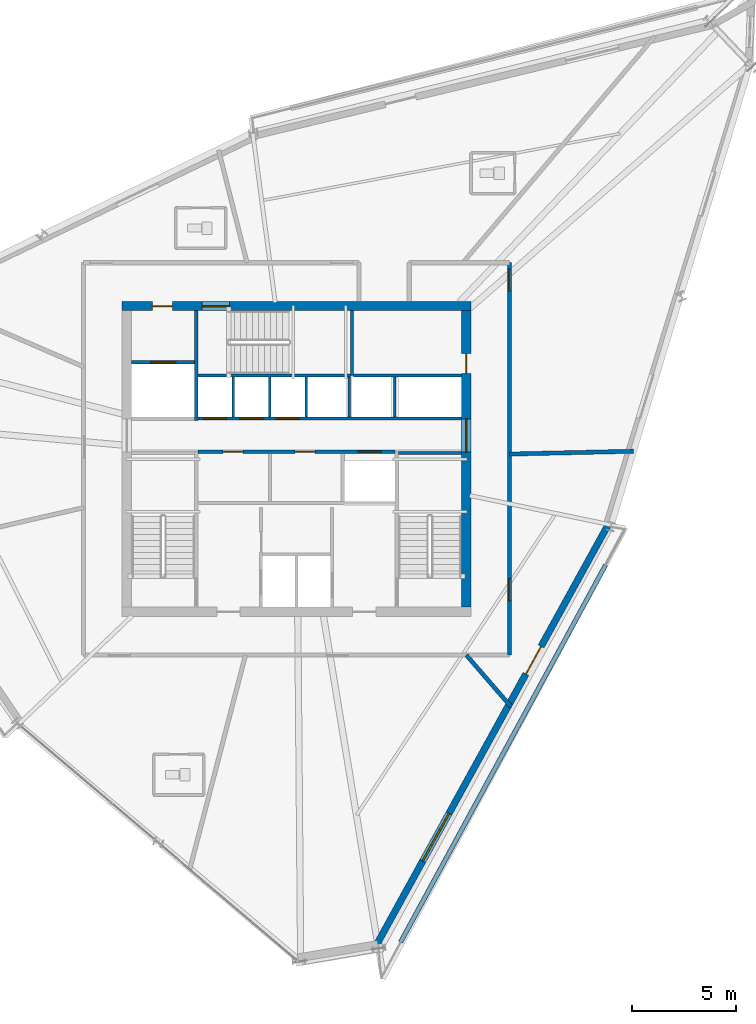
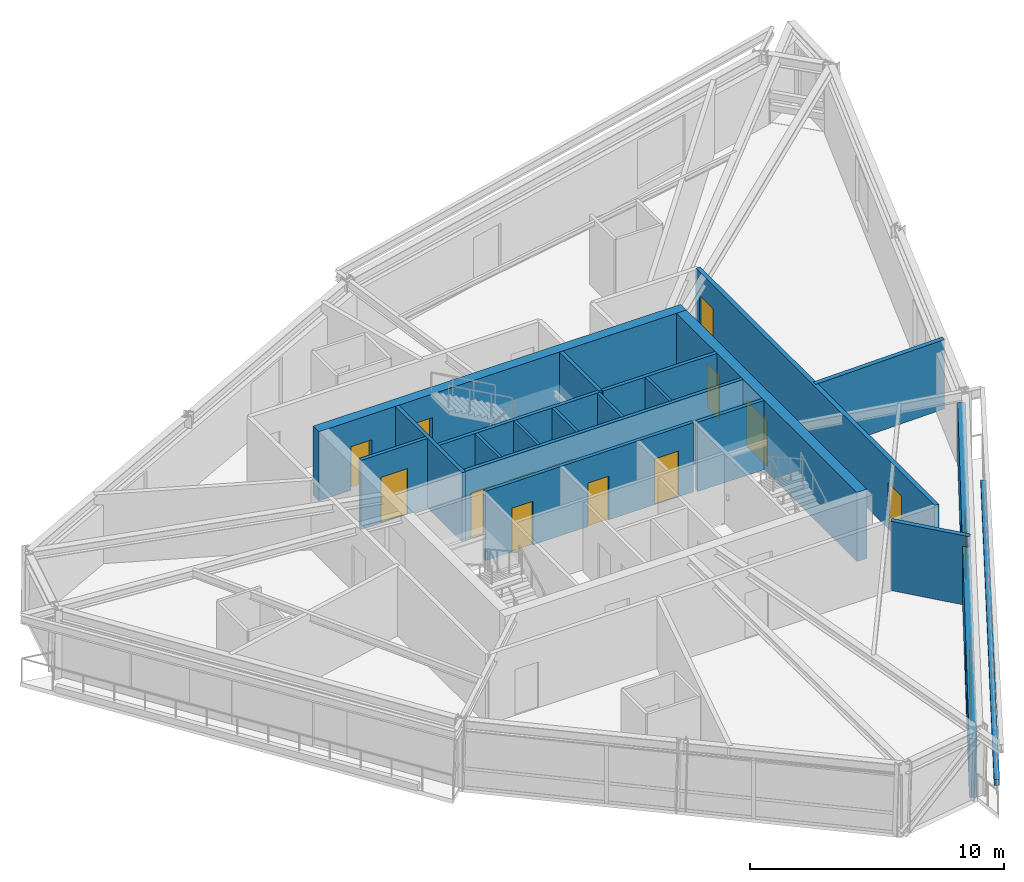
# One storey, part 9 of 15: 20 walls, 14 doors, 1 window, 15 openings.
"""IFC4 building model written with IfcOpenShell, lengths in metres."""

from ifc_helpers import new_model, si_unit, direction, frame, frame_2d, origin, place, context, subcontext, project, spatial, rectangle, extrude, source, transform, mapped, material, layer, layer_set, type_object, type_shapes, element, fill, save


model = new_model("IFC4")

# Units and contexts
model_context = context("Model", 3, precision=1e-05, world=origin(), true_north=direction((0.0, 1.0)))
body_context = subcontext(model_context, "Body", "Model", "MODEL_VIEW")
ifc_project = project(units=[si_unit("LENGTHUNIT", "METRE"), si_unit("AREAUNIT", "SQUARE_METRE"), si_unit("VOLUMEUNIT", "CUBIC_METRE"), si_unit("PLANEANGLEUNIT", "RADIAN"), si_unit("MASSUNIT", "GRAM", prefix="KILO")], contexts=[model_context])

# Site, building, storey
site_placement = place(None, origin())
site = spatial("IfcSite", under=ifc_project, at=site_placement, CompositionType="ELEMENT")
building_placement = place(site_placement, origin())
building = spatial("IfcBuilding", under=site, at=building_placement, Name="Olszyna Solenne Hotel", CompositionType="ELEMENT")
storey_placement = place(building_placement, frame((0.0, 0.0, 213.14990234375)))
storey = spatial("IfcBuildingStorey", under=building, at=storey_placement, Name="L56", CompositionType="ELEMENT", Elevation=213.14990234375)

# Wall, openings, doors
ifc_material_1 = material(Name="Concrete C50/60", Category="concrete")
ifc_layer_1 = layer(ifc_material_1, 0.449951171875, Name="Concrete C50/60")
ifc_layer_set_1 = layer_set([ifc_layer_1], Name="Concrete C50/60")
wall_type_1 = type_object("IfcWallType", Name="WL-CR450", PredefinedType="SHEAR", material=ifc_layer_set_1)
wall_1_placement = place(storey_placement, frame((29.64990234375, 33.925048828125, 0.0), z_axis=(0.0, 0.0, 1.0), x_axis=(1.0, 0.0, 0.0)))
wall_1 = element("IfcWall", 1, at=wall_1_placement, inside=storey, type_object=wall_type_1, Name="Core shear wall WL-CR450 CRW-L56-N", PredefinedType="SHEAR", context=body_context, shape_type="SweptSolid", body=[
    extrude(rectangle(XDim=16.7001953125, YDim=0.449951171875, at=frame_2d((8.35009765625, 0.0))), origin(), (0.0, 0.0, 1.0), 3.330078125),
])
opening_1_placement = place(wall_1_placement, frame((1.449951171875, 0.0, 0.0)))
opening_1 = element("IfcOpeningElement", 2, at=opening_1_placement, cuts=wall_1, Name="Opening SVD-L56-01", PredefinedType="OPENING", context=body_context, shape_type="SweptSolid", body=[
    extrude(rectangle(XDim=0.949951171875, YDim=2.10009765625, at=frame_2d((0.47509765625, 1.050048828125))), frame((0.0, 0.23486328125, 0.0), z_axis=(0.0, -1.0, 0.0), x_axis=(1.0, 0.0, 0.0)), (0.0, 0.0, 1.0), 0.469970703125),
])
opening_2_placement = place(wall_1_placement, frame((3.830078125, 0.0, 0.0)))
opening_2 = element("IfcOpeningElement", 3, at=opening_2_placement, cuts=wall_1, Name="Opening STD-L56-03", PredefinedType="OPENING", context=body_context, shape_type="SweptSolid", body=[
    extrude(rectangle(XDim=1.320068359375, YDim=2.199951171875, at=frame_2d((0.66015625, 1.10009765625))), frame((0.0, 0.23486328125, 0.0), z_axis=(0.0, -1.0, 0.0), x_axis=(1.0, 0.0, 0.0)), (0.0, 0.0, 1.0), 0.469970703125),
])
ifc_material_2 = material(Name="Steel S355J2", Category="steel")
door_type_1 = type_object("IfcDoorType", Name="DR-ST1", OperationType="NOTDEFINED", PredefinedType="DOOR", material=ifc_material_2)
shared_shape_1 = source(origin(), body_context, "Body", "SweptSolid", [
    extrude(rectangle(XDim=1.320068359375, YDim=2.199951171875, at=frame_2d((0.66015625, 1.10009765625))), frame((0.0, 0.02490234375, 0.0), z_axis=(0.0, -1.0, 0.0), x_axis=(1.0, 0.0, 0.0)), (0.0, 0.0, 1.0), 0.050048828125),
])
type_shapes(door_type_1, [shared_shape_1])
door_1_placement = place(opening_2_placement, origin())
door_1 = element("IfcDoor", 4, at=door_1_placement, inside=storey, type_object=door_type_1, Name="Pressurised exit stair ST3 fire door STD-L56-03", OperationType="SINGLE_SWING_RIGHT", OverallHeight=2.199951171875, OverallWidth=1.320068359375, PredefinedType="DOOR", context=body_context, shape_type="MappedRepresentation", body=[
    mapped(shared_shape_1, transform((0.0, 0.0, 0.0), x_axis=(1.0, 0.0, 0.0), y_axis=(0.0, 1.0, 0.0), z_axis=(0.0, 0.0, 1.0), scale=1.0)),
])
fill(opening_2, door_1)
door_type_2 = type_object("IfcDoorType", Name="DR-SV1", OperationType="NOTDEFINED", PredefinedType="DOOR", material=ifc_material_2)
shared_shape_2 = source(origin(), body_context, "Body", "SweptSolid", [
    extrude(rectangle(XDim=0.949951171875, YDim=2.10009765625, at=frame_2d((0.47509765625, 1.050048828125))), frame((0.0, 0.02490234375, 0.0), z_axis=(0.0, -1.0, 0.0), x_axis=(1.0, 0.0, 0.0)), (0.0, 0.0, 1.0), 0.050048828125),
])
type_shapes(door_type_2, [shared_shape_2])
door_2_placement = place(opening_1_placement, origin())
door_2 = element("IfcDoor", 5, at=door_2_placement, inside=storey, type_object=door_type_2, Name="Service lift lobby fire door SVD-L56-01", OperationType="SINGLE_SWING_LEFT", OverallHeight=2.10009765625, OverallWidth=0.949951171875, PredefinedType="DOOR", context=body_context, shape_type="MappedRepresentation", body=[
    mapped(shared_shape_2, transform((0.0, 0.0, 0.0), x_axis=(1.0, 0.0, 0.0), y_axis=(0.0, 1.0, 0.0), z_axis=(0.0, 0.0, 1.0), scale=1.0)),
])
fill(opening_1, door_2)

wall_2_placement = place(storey_placement, frame((46.125, 33.699951171875, 0.0), z_axis=(0.0, 0.0, 1.0), x_axis=(0.0, -1.0, 0.0)))
wall_2 = element("IfcWall", 6, at=wall_2_placement, inside=storey, type_object=wall_type_1, Name="Core shear wall WL-CR450 CRW-L56-E", PredefinedType="SHEAR", context=body_context, shape_type="SweptSolid", body=[
    extrude(rectangle(XDim=14.199951171875, YDim=0.449951171875, at=frame_2d((7.10009765625, 0.0))), origin(), (0.0, 0.0, 1.0), 3.330078125),
])
opening_3_placement = place(wall_2_placement, frame((5.179931640625, 0.0, 0.0)))
opening_3 = element("IfcOpeningElement", 7, at=opening_3_placement, cuts=wall_2, Name="Opening LHD-L56-E", PredefinedType="OPENING", context=body_context, shape_type="SweptSolid", body=[
    extrude(rectangle(XDim=1.60009765625, YDim=2.199951171875, at=frame_2d((0.800048828125, 1.10009765625))), frame((0.0, 0.23486328125, 0.0), z_axis=(0.0, -1.0, 0.0), x_axis=(1.0, 0.0, 0.0)), (0.0, 0.0, 1.0), 0.469970703125),
])
opening_4_placement = place(wall_2_placement, frame((2.050048828125, 0.0, 0.0)))
opening_4 = element("IfcOpeningElement", 8, at=opening_4_placement, cuts=wall_2, Name="Opening SVD-L56-BE", PredefinedType="OPENING", context=body_context, shape_type="SweptSolid", body=[
    extrude(rectangle(XDim=0.949951171875, YDim=2.10009765625, at=frame_2d((0.47509765625, 1.050048828125))), frame((0.0, 0.23486328125, 0.0), z_axis=(0.0, -1.0, 0.0), x_axis=(1.0, 0.0, 0.0)), (0.0, 0.0, 1.0), 0.469970703125),
])
door_3_placement = place(opening_4_placement, origin())
door_3 = element("IfcDoor", 9, at=door_3_placement, inside=storey, type_object=door_type_2, Name="Housekeeping core fire door SVD-L56-BE", OperationType="SINGLE_SWING_RIGHT", OverallHeight=2.10009765625, OverallWidth=0.949951171875, PredefinedType="DOOR", context=body_context, shape_type="MappedRepresentation", body=[
    mapped(shared_shape_2, transform((0.0, 0.0, 0.0), x_axis=(1.0, 0.0, 0.0), y_axis=(0.0, 1.0, 0.0), z_axis=(0.0, 0.0, 1.0), scale=1.0)),
])
fill(opening_4, door_3)
ifc_material_3 = material(Name="Timber hardwood", Category="wood")
door_type_3 = type_object("IfcDoorType", Name="DR-CR1", OperationType="DOUBLE_DOOR_SINGLE_SWING", PredefinedType="DOOR", material=ifc_material_3)
shared_shape_3 = source(origin(), body_context, "Body", "SweptSolid", [
    extrude(rectangle(XDim=1.60009765625, YDim=2.199951171875, at=frame_2d((0.800048828125, 1.10009765625))), frame((0.0, 0.02490234375, 0.0), z_axis=(0.0, -1.0, 0.0), x_axis=(1.0, 0.0, 0.0)), (0.0, 0.0, 1.0), 0.050048828125),
])
type_shapes(door_type_3, [shared_shape_3])
door_4_placement = place(opening_3_placement, origin())
door_4 = element("IfcDoor", 10, at=door_4_placement, inside=storey, type_object=door_type_3, Name="Passenger lift lobby East fire door LHD-L56-E", OperationType="DOUBLE_DOOR_SINGLE_SWING", OverallHeight=2.199951171875, OverallWidth=1.60009765625, PredefinedType="DOOR", context=body_context, shape_type="MappedRepresentation", body=[
    mapped(shared_shape_3, transform((0.0, 0.0, 0.0), x_axis=(1.0, 0.0, 0.0), y_axis=(0.0, 1.0, 0.0), z_axis=(0.0, 0.0, 1.0), scale=1.0)),
])
fill(opening_3, door_4)

# Wall, openings, door, window
ifc_material_4 = material(Name="Precast concrete C45/55", Category="concrete")
ifc_layer_2 = layer(ifc_material_4, 0.320068359375, Name="Precast concrete C45/55")
ifc_layer_set_2 = layer_set([ifc_layer_2], Name="Precast concrete C45/55")
wall_type_2 = type_object("IfcWallType", Name="WL-EX320", PredefinedType="SOLIDWALL", material=ifc_layer_set_2)
wall_3_placement = place(storey_placement, frame((52.923095703125, 23.42529296875, 0.0), z_axis=(0.0, 0.0, 1.0), x_axis=(-0.482829200204, -0.875714544489, 0.0)))
wall_3 = element("IfcWall", 11, at=wall_3_placement, inside=storey, type_object=wall_type_2, Name="Exterior terracotta-precast frame wall WL-EX320 EW-L56-01", PredefinedType="SOLIDWALL", context=body_context, shape_type="SweptSolid", body=[
    extrude(rectangle(XDim=23.072021484375, YDim=0.320068359375, at=frame_2d((11.5361328125, 0.0))), origin(), (0.0, 0.0, 1.0), 2.822021484375),
])
opening_5_placement = place(wall_3_placement, frame((6.633056640625, 0.0, 0.0)))
opening_5 = element("IfcOpeningElement", 12, at=opening_5_placement, cuts=wall_3, Name="Opening LDG-L56-3", PredefinedType="OPENING", context=body_context, shape_type="SweptSolid", body=[
    extrude(rectangle(XDim=1.5, YDim=2.300048828125, at=frame_2d((0.75, 1.14990234375))), frame((0.0, 0.169921875, 0.0), z_axis=(0.0, -1.0, 0.0), x_axis=(1.0, 0.0, 0.0)), (0.0, 0.0, 1.0), 0.340087890625),
])
opening_6_placement = place(wall_3_placement, frame((15.77294921875, 0.0, 0.35205078125)))
opening_6 = element("IfcOpeningElement", 13, at=opening_6_placement, cuts=wall_3, Name="Opening WN-L56-357", PredefinedType="OPENING", context=body_context, shape_type="SweptSolid", body=[
    extrude(rectangle(XDim=2.60009765625, YDim=2.35009765625, at=frame_2d((1.300048828125, 1.175048828125))), frame((0.0, 0.169921875, 0.0), z_axis=(0.0, -1.0, 0.0), x_axis=(1.0, 0.0, 0.0)), (0.0, 0.0, 1.0), 0.340087890625),
])
ifc_material_5 = material(Name="Anodised bronze aluminium", Category="aluminium")
door_type_4 = type_object("IfcDoorType", Name="DR-LG2", OperationType="DOUBLE_DOOR_SINGLE_SWING", PredefinedType="DOOR", material=ifc_material_5)
shared_shape_4 = source(origin(), body_context, "Body", "SweptSolid", [
    extrude(rectangle(XDim=1.5, YDim=2.300048828125, at=frame_2d((0.75, 1.14990234375))), frame((0.0, 0.02490234375, 0.0), z_axis=(0.0, -1.0, 0.0), x_axis=(1.0, 0.0, 0.0)), (0.0, 0.0, 1.0), 0.050048828125),
])
type_shapes(door_type_4, [shared_shape_4])
door_5_placement = place(opening_5_placement, origin())
door_5 = element("IfcDoor", 14, at=door_5_placement, inside=storey, type_object=door_type_4, Name="Exterior loggia balcony door DR-LG2 LDG-L56-3", OperationType="DOUBLE_DOOR_SINGLE_SWING", OverallHeight=2.300048828125, OverallWidth=1.5, PredefinedType="DOOR", context=body_context, shape_type="MappedRepresentation", body=[
    mapped(shared_shape_4, transform((0.0, 0.0, 0.0), x_axis=(1.0, 0.0, 0.0), y_axis=(0.0, 1.0, 0.0), z_axis=(0.0, 0.0, 1.0), scale=1.0)),
])
fill(opening_5, door_5)
ifc_material_6 = material(Name="Low-E triple glazing", Category="glass")
window_type = type_object("IfcWindowType", Name="WN-ST1", PartitioningType="SINGLE_PANEL", PredefinedType="WINDOW", material=ifc_material_6)
shared_shape_5 = source(origin(), body_context, "Body", "SweptSolid", [
    extrude(rectangle(XDim=2.60009765625, YDim=2.35009765625, at=frame_2d((1.300048828125, 1.175048828125))), frame((0.0, 0.030029296875, 0.0), z_axis=(0.0, -1.0, 0.0), x_axis=(1.0, 0.0, 0.0)), (0.0, 0.0, 1.0), 0.06005859375),
])
type_shapes(window_type, [shared_shape_5])
window_placement = place(opening_6_placement, origin())
window = element("IfcWindow", 15, at=window_placement, inside=storey, type_object=window_type, Name="Loggia room window WN-ST1 WN-L56-357", OverallHeight=2.35009765625, OverallWidth=2.60009765625, PartitioningType="SINGLE_PANEL", PredefinedType="WINDOW", context=body_context, shape_type="MappedRepresentation", body=[
    mapped(shared_shape_5, transform((0.0, 0.0, 0.0), x_axis=(1.0, 0.0, 0.0), y_axis=(0.0, 1.0, 0.0), z_axis=(0.0, 0.0, 1.0), scale=1.0)),
])
fill(opening_6, window)

# Walls
ifc_layer_3 = layer(ifc_material_4, 0.219970703125, Name="Precast concrete C45/55")
ifc_layer_set_3 = layer_set([ifc_layer_3], Name="Precast concrete C45/55")
wall_type_3 = type_object("IfcWallType", Name="WL-PR220", PredefinedType="PARAPET", material=ifc_layer_set_3)
wall_4_placement = place(storey_placement, frame((42.99072265625, 3.45068359375, 0.0), z_axis=(0.0, 0.0, 1.0), x_axis=(0.477647289854, 0.878551686866, 0.0)))
element("IfcWall", 16, at=wall_4_placement, inside=storey, type_object=wall_type_3, Name="Loggia balcony precast kerb PR-L56-LG3", PredefinedType="PARAPET", context=body_context, shape_type="SweptSolid", body=[
    extrude(rectangle(XDim=20.551025390625, YDim=0.219970703125, at=frame_2d((10.275390625, 0.0))), origin(), (0.0, 0.0, 1.0), 0.300048828125),
])
ifc_material_7 = material(Name="Acoustic gypsum partition", Category="gypsum")
ifc_layer_4 = layer(ifc_material_7, 0.125, Name="Acoustic gypsum partition")
ifc_layer_set_4 = layer_set([ifc_layer_4], Name="Acoustic gypsum partition")
wall_type_4 = type_object("IfcWallType", Name="WL-PT125", PredefinedType="PARTITIONING", material=ifc_layer_set_4)
for number, where, z_axis, x_axis, name in (
    (17, (34.965087890625, 28.60009765625, 0.0), (0.0, 0.0, 1.0), (0.0, 1.0, 0.0), "Core shaft compartment wall CW-L56-DIVN349"),
    (18, (36.715087890625, 28.60009765625, 0.0), (0.0, 0.0, 1.0), (0.0, 1.0, 0.0), "Core shaft compartment wall CW-L56-DIVN367"),
    (19, (38.465087890625, 28.60009765625, 0.0), (0.0, 0.0, 1.0), (0.0, 1.0, 0.0), "Core shaft compartment wall CW-L56-DIVN384"),
    (20, (40.52490234375, 28.60009765625, 0.0), (0.0, 0.0, 1.0), (0.0, 1.0, 0.0), "Core shaft compartment wall CW-L56-DIVEX405"),
    (21, (42.699951171875, 28.60009765625, 0.0), (0.0, 0.0, 1.0), (0.0, 1.0, 0.0), "Core shaft compartment wall CW-L56-DIVEX427"),
):
    element("IfcWall", number, at=place(storey_placement, frame(where, z_axis=z_axis, x_axis=x_axis)), inside=storey, type_object=wall_type_4, Name=name, PredefinedType="PARTITIONING", context=body_context, shape_type="SweptSolid", body=[
        extrude(rectangle(XDim=1.919921875, YDim=0.125, at=frame_2d((0.9599609375, 0.0))), origin(), (0.0, 0.0, 1.0), 3.330078125),
    ])
ifc_layer_5 = layer(ifc_material_7, 0.159912109375, Name="Acoustic gypsum partition")
ifc_layer_set_5 = layer_set([ifc_layer_5], Name="Acoustic gypsum partition")
wall_type_5 = type_object("IfcWallType", Name="WL-PT160", PredefinedType="PARTITIONING", material=ifc_layer_set_5)
wall_5_placement = place(storey_placement, frame((42.8798828125, 26.8798828125, 0.0), z_axis=(0.0, 0.0, 1.0), x_axis=(1.0, 0.0, 0.0)))
element("IfcWall", 22, at=wall_5_placement, inside=storey, type_object=wall_type_5, Name="Core shaft compartment wall CW-L56-ST2N", PredefinedType="PARTITIONING", context=body_context, shape_type="SweptSolid", body=[
    extrude(rectangle(XDim=3.02001953125, YDim=0.159912109375, at=frame_2d((1.510009765625, 0.0))), origin(), (0.0, 0.0, 1.0), 3.330078125),
])
wall_6_placement = place(storey_placement, frame((33.280029296875, 30.60009765625, 0.0), z_axis=(0.0, 0.0, 1.0), x_axis=(1.0, 0.0, 0.0)))
element("IfcWall", 23, at=wall_6_placement, inside=storey, type_object=wall_type_5, Name="Core shaft compartment wall CW-L56-ST3S", PredefinedType="PARTITIONING", context=body_context, shape_type="SweptSolid", body=[
    extrude(rectangle(XDim=7.300048828125, YDim=0.159912109375, at=frame_2d((3.64990234375, 0.0))), origin(), (0.0, 0.0, 1.0), 3.330078125),
])
wall_7_placement = place(storey_placement, frame((40.659912109375, 30.60009765625, 0.0), z_axis=(0.0, 0.0, 1.0), x_axis=(0.0, 1.0, 0.0)))
element("IfcWall", 24, at=wall_7_placement, inside=storey, type_object=wall_type_5, Name="Core shaft compartment wall CW-L56-ST3E", PredefinedType="PARTITIONING", context=body_context, shape_type="SweptSolid", body=[
    extrude(rectangle(XDim=3.099853515625, YDim=0.159912109375, at=frame_2d((1.5498046875, 0.0))), origin(), (0.0, 0.0, 1.0), 3.330078125),
])
wall_8_placement = place(storey_placement, frame((33.199951171875, 28.43994140625, 0.0), z_axis=(0.0, 0.0, 1.0), x_axis=(0.0, 1.0, 0.0)))
element("IfcWall", 25, at=wall_8_placement, inside=storey, type_object=wall_type_5, Name="Core shaft compartment wall CW-L56-SV1E", PredefinedType="PARTITIONING", context=body_context, shape_type="SweptSolid", body=[
    extrude(rectangle(XDim=5.260009765625, YDim=0.159912109375, at=frame_2d((2.6298828125, 0.0))), origin(), (0.0, 0.0, 1.0), 3.330078125),
])

# Wall, opening, door
wall_9_placement = place(storey_placement, frame((30.10009765625, 31.239990234375, 0.0), z_axis=(0.0, 0.0, 1.0), x_axis=(1.0, 0.0, 0.0)))
wall_9 = element("IfcWall", 26, at=wall_9_placement, inside=storey, type_object=wall_type_5, Name="Core shaft compartment wall CW-L56-SV1N", PredefinedType="PARTITIONING", context=body_context, shape_type="SweptSolid", body=[
    extrude(rectangle(XDim=3.02001953125, YDim=0.159912109375, at=frame_2d((1.510009765625, 0.0))), origin(), (0.0, 0.0, 1.0), 3.330078125),
])
opening_7_placement = place(wall_9_placement, frame((0.909912109375, 0.0, 0.0)))
opening_7 = element("IfcOpeningElement", 27, at=opening_7_placement, cuts=wall_9, Name="Opening LD-L56-SV1", PredefinedType="OPENING", context=body_context, shape_type="SweptSolid", body=[
    extrude(rectangle(XDim=1.199951171875, YDim=2.199951171875, at=frame_2d((0.60009765625, 1.10009765625))), frame((0.0, 0.08984375, 0.0), z_axis=(0.0, -1.0, 0.0), x_axis=(1.0, 0.0, 0.0)), (0.0, 0.0, 1.0), 0.179931640625),
])
door_type_5 = type_object("IfcDoorType", Name="LD-FF1", OperationType="DOUBLE_DOOR_SLIDING", PredefinedType="DOOR", material=ifc_material_2)
shared_shape_6 = source(origin(), body_context, "Body", "SweptSolid", [
    extrude(rectangle(XDim=1.199951171875, YDim=2.199951171875, at=frame_2d((0.60009765625, 1.10009765625))), frame((0.0, 0.02490234375, 0.0), z_axis=(0.0, -1.0, 0.0), x_axis=(1.0, 0.0, 0.0)), (0.0, 0.0, 1.0), 0.050048828125),
])
type_shapes(door_type_5, [shared_shape_6])
door_6_placement = place(opening_7_placement, origin())
door_6 = element("IfcDoor", 28, at=door_6_placement, inside=storey, type_object=door_type_5, Name="Service lift SV1 sliding landing door LD-L56-SV1", OperationType="DOUBLE_DOOR_SLIDING", OverallHeight=2.199951171875, OverallWidth=1.199951171875, PredefinedType="DOOR", context=body_context, shape_type="MappedRepresentation", body=[
    mapped(shared_shape_6, transform((0.0, 0.0, 0.0), x_axis=(1.0, 0.0, 0.0), y_axis=(0.0, 1.0, 0.0), z_axis=(0.0, 0.0, 1.0), scale=1.0)),
])
fill(opening_7, door_6)

# Wall, openings, doors
wall_10_placement = place(storey_placement, frame((33.280029296875, 26.949951171875, 0.0), z_axis=(0.0, 0.0, 1.0), x_axis=(1.0, 0.0, 0.0)))
wall_10 = element("IfcWall", 29, at=wall_10_placement, inside=storey, type_object=wall_type_5, Name="Core shaft compartment wall CW-L56-LRS", PredefinedType="PARTITIONING", context=body_context, shape_type="SweptSolid", body=[
    extrude(rectangle(XDim=9.43994140625, YDim=0.159912109375, at=frame_2d((4.719970703125, 0.0))), origin(), (0.0, 0.0, 1.0), 3.330078125),
])
opening_8_placement = place(wall_10_placement, frame((1.199951171875, 0.0, 0.0)))
opening_8 = element("IfcOpeningElement", 30, at=opening_8_placement, cuts=wall_10, Name="Opening SVD-L56-L71", PredefinedType="OPENING", context=body_context, shape_type="SweptSolid", body=[
    extrude(rectangle(XDim=0.949951171875, YDim=2.10009765625, at=frame_2d((0.47509765625, 1.050048828125))), frame((0.0, 0.08984375, 0.0), z_axis=(0.0, -1.0, 0.0), x_axis=(1.0, 0.0, 0.0)), (0.0, 0.0, 1.0), 0.179931640625),
])
opening_9_placement = place(wall_10_placement, frame((4.64990234375, 0.0, 0.0)))
opening_9 = element("IfcOpeningElement", 31, at=opening_9_placement, cuts=wall_10, Name="Opening SVD-L56-L72", PredefinedType="OPENING", context=body_context, shape_type="SweptSolid", body=[
    extrude(rectangle(XDim=0.949951171875, YDim=2.10009765625, at=frame_2d((0.47509765625, 1.050048828125))), frame((0.0, 0.08984375, 0.0), z_axis=(0.0, -1.0, 0.0), x_axis=(1.0, 0.0, 0.0)), (0.0, 0.0, 1.0), 0.179931640625),
])
opening_10_placement = place(wall_10_placement, frame((7.669921875, 0.0, 0.0)))
opening_10 = element("IfcOpeningElement", 32, at=opening_10_placement, cuts=wall_10, Name="Opening LD-L56-PL5", PredefinedType="OPENING", context=body_context, shape_type="SweptSolid", body=[
    extrude(rectangle(XDim=1.10009765625, YDim=2.199951171875, at=frame_2d((0.550048828125, 1.10009765625))), frame((0.0, 0.08984375, 0.0), z_axis=(0.0, -1.0, 0.0), x_axis=(1.0, 0.0, 0.0)), (0.0, 0.0, 1.0), 0.179931640625),
])
door_7_placement = place(opening_8_placement, origin())
door_7 = element("IfcDoor", 33, at=door_7_placement, inside=storey, type_object=door_type_2, Name="Recaptured core room fire door SVD-L56-L71", OperationType="SINGLE_SWING_LEFT", OverallHeight=2.10009765625, OverallWidth=0.949951171875, PredefinedType="DOOR", context=body_context, shape_type="MappedRepresentation", body=[
    mapped(shared_shape_2, transform((0.0, 0.0, 0.0), x_axis=(1.0, 0.0, 0.0), y_axis=(0.0, 1.0, 0.0), z_axis=(0.0, 0.0, 1.0), scale=1.0)),
])
fill(opening_8, door_7)
door_8_placement = place(opening_9_placement, origin())
door_8 = element("IfcDoor", 34, at=door_8_placement, inside=storey, type_object=door_type_2, Name="Recaptured core room fire door SVD-L56-L72", OperationType="SINGLE_SWING_RIGHT", OverallHeight=2.10009765625, OverallWidth=0.949951171875, PredefinedType="DOOR", context=body_context, shape_type="MappedRepresentation", body=[
    mapped(shared_shape_2, transform((0.0, 0.0, 0.0), x_axis=(1.0, 0.0, 0.0), y_axis=(0.0, 1.0, 0.0), z_axis=(0.0, 0.0, 1.0), scale=1.0)),
])
fill(opening_9, door_8)
door_type_6 = type_object("IfcDoorType", Name="LD-P1", OperationType="DOUBLE_DOOR_SLIDING", PredefinedType="DOOR", material=ifc_material_2)
shared_shape_7 = source(origin(), body_context, "Body", "SweptSolid", [
    extrude(rectangle(XDim=1.10009765625, YDim=2.199951171875, at=frame_2d((0.550048828125, 1.10009765625))), frame((0.0, 0.02490234375, 0.0), z_axis=(0.0, -1.0, 0.0), x_axis=(1.0, 0.0, 0.0)), (0.0, 0.0, 1.0), 0.050048828125),
])
type_shapes(door_type_6, [shared_shape_7])
door_9_placement = place(opening_10_placement, origin())
door_9 = element("IfcDoor", 35, at=door_9_placement, inside=storey, type_object=door_type_6, Name="Passenger lift PL5 sliding landing door LD-L56-PL5", OperationType="DOUBLE_DOOR_SLIDING", OverallHeight=2.199951171875, OverallWidth=1.10009765625, PredefinedType="DOOR", context=body_context, shape_type="MappedRepresentation", body=[
    mapped(shared_shape_7, transform((0.0, 0.0, 0.0), x_axis=(1.0, 0.0, 0.0), y_axis=(0.0, 1.0, 0.0), z_axis=(0.0, 0.0, 1.0), scale=1.0)),
])
fill(opening_10, door_9)

wall_11_placement = place(storey_placement, frame((33.280029296875, 28.5400390625, 0.0), z_axis=(0.0, 0.0, 1.0), x_axis=(1.0, 0.0, 0.0)))
wall_11 = element("IfcWall", 36, at=wall_11_placement, inside=storey, type_object=wall_type_5, Name="Core shaft compartment wall CW-L56-LRN", PredefinedType="PARTITIONING", context=body_context, shape_type="SweptSolid", body=[
    extrude(rectangle(XDim=12.619873046875, YDim=0.159912109375, at=frame_2d((6.31005859375, 0.0))), origin(), (0.0, 0.0, 1.0), 3.330078125),
])
opening_11_placement = place(wall_11_placement, frame((0.260009765625, 0.0, 0.0)))
opening_11 = element("IfcOpeningElement", 37, at=opening_11_placement, cuts=wall_11, Name="Opening LD-L56-PL6", PredefinedType="OPENING", context=body_context, shape_type="SweptSolid", body=[
    extrude(rectangle(XDim=1.10009765625, YDim=2.199951171875, at=frame_2d((0.550048828125, 1.10009765625))), frame((0.0, 0.08984375, 0.0), z_axis=(0.0, -1.0, 0.0), x_axis=(1.0, 0.0, 0.0)), (0.0, 0.0, 1.0), 0.179931640625),
])
opening_12_placement = place(wall_11_placement, frame((2.010009765625, 0.0, 0.0)))
opening_12 = element("IfcOpeningElement", 38, at=opening_12_placement, cuts=wall_11, Name="Opening LD-L56-PL7", PredefinedType="OPENING", context=body_context, shape_type="SweptSolid", body=[
    extrude(rectangle(XDim=1.10009765625, YDim=2.199951171875, at=frame_2d((0.550048828125, 1.10009765625))), frame((0.0, 0.08984375, 0.0), z_axis=(0.0, -1.0, 0.0), x_axis=(1.0, 0.0, 0.0)), (0.0, 0.0, 1.0), 0.179931640625),
])
opening_13_placement = place(wall_11_placement, frame((3.760009765625, 0.0, 0.0)))
opening_13 = element("IfcOpeningElement", 39, at=opening_13_placement, cuts=wall_11, Name="Opening LD-L56-PL8", PredefinedType="OPENING", context=body_context, shape_type="SweptSolid", body=[
    extrude(rectangle(XDim=1.10009765625, YDim=2.199951171875, at=frame_2d((0.550048828125, 1.10009765625))), frame((0.0, 0.08984375, 0.0), z_axis=(0.0, -1.0, 0.0), x_axis=(1.0, 0.0, 0.0)), (0.0, 0.0, 1.0), 0.179931640625),
])
door_10_placement = place(opening_11_placement, origin())
door_10 = element("IfcDoor", 40, at=door_10_placement, inside=storey, type_object=door_type_6, Name="Passenger lift PL6 sliding landing door LD-L56-PL6", OperationType="DOUBLE_DOOR_SLIDING", OverallHeight=2.199951171875, OverallWidth=1.10009765625, PredefinedType="DOOR", context=body_context, shape_type="MappedRepresentation", body=[
    mapped(shared_shape_7, transform((0.0, 0.0, 0.0), x_axis=(1.0, 0.0, 0.0), y_axis=(0.0, 1.0, 0.0), z_axis=(0.0, 0.0, 1.0), scale=1.0)),
])
fill(opening_11, door_10)
door_11_placement = place(opening_12_placement, origin())
door_11 = element("IfcDoor", 41, at=door_11_placement, inside=storey, type_object=door_type_6, Name="Passenger lift PL7 sliding landing door LD-L56-PL7", OperationType="DOUBLE_DOOR_SLIDING", OverallHeight=2.199951171875, OverallWidth=1.10009765625, PredefinedType="DOOR", context=body_context, shape_type="MappedRepresentation", body=[
    mapped(shared_shape_7, transform((0.0, 0.0, 0.0), x_axis=(1.0, 0.0, 0.0), y_axis=(0.0, 1.0, 0.0), z_axis=(0.0, 0.0, 1.0), scale=1.0)),
])
fill(opening_12, door_11)
door_12_placement = place(opening_13_placement, origin())
door_12 = element("IfcDoor", 42, at=door_12_placement, inside=storey, type_object=door_type_6, Name="Passenger lift PL8 sliding landing door LD-L56-PL8", OperationType="DOUBLE_DOOR_SLIDING", OverallHeight=2.199951171875, OverallWidth=1.10009765625, PredefinedType="DOOR", context=body_context, shape_type="MappedRepresentation", body=[
    mapped(shared_shape_7, transform((0.0, 0.0, 0.0), x_axis=(1.0, 0.0, 0.0), y_axis=(0.0, 1.0, 0.0), z_axis=(0.0, 0.0, 1.0), scale=1.0)),
])
fill(opening_13, door_12)

# Walls
wall_12_placement = place(storey_placement, frame((40.719970703125, 30.60009765625, 0.0), z_axis=(0.0, 0.0, 1.0), x_axis=(1.0, 0.0, 0.0)))
element("IfcWall", 43, at=wall_12_placement, inside=storey, type_object=wall_type_5, Name="Core shaft compartment wall CW-L56-LRNTOP", PredefinedType="PARTITIONING", context=body_context, shape_type="SweptSolid", body=[
    extrude(rectangle(XDim=5.179931640625, YDim=0.159912109375, at=frame_2d((2.58984375, 0.0))), origin(), (0.0, 0.0, 1.0), 3.330078125),
])
ifc_layer_6 = layer(ifc_material_7, 0.199951171875, Name="Acoustic gypsum partition")
ifc_layer_set_6 = layer_set([ifc_layer_6], Name="Acoustic gypsum partition")
wall_type_6 = type_object("IfcWallType", Name="WL-PT200", PredefinedType="PARTITIONING", material=ifc_layer_set_6)
wall_13_placement = place(storey_placement, frame((46.1376953125, 17.199951171875, 0.0), z_axis=(0.0, 0.0, 1.0), x_axis=(0.654523763177, -0.756041429709, 0.0)))
element("IfcWall", 44, at=wall_13_placement, inside=storey, type_object=wall_type_6, Name="Interior acoustic partition WL-PT200 PW-L56-3116", PredefinedType="PARTITIONING", context=body_context, shape_type="SweptSolid", body=[
    extrude(rectangle(XDim=3.268310546875, YDim=0.199951171875, at=frame_2d((1.63427734375, 0.0))), origin(), (0.0, 0.0, 1.0), 3.330078125),
])
wall_14_placement = place(storey_placement, frame((48.199951171875, 26.83203125, 0.0), z_axis=(0.0, 0.0, 1.0), x_axis=(0.999740922664, 0.022761536644, 0.0)))
element("IfcWall", 45, at=wall_14_placement, inside=storey, type_object=wall_type_6, Name="Interior acoustic partition WL-PT200 PW-L56-3117", PredefinedType="PARTITIONING", context=body_context, shape_type="SweptSolid", body=[
    extrude(rectangle(XDim=5.942138671875, YDim=0.199951171875, at=frame_2d((2.97119140625, 0.0))), origin(), (0.0, 0.0, 1.0), 3.330078125),
])

# Wall, openings, doors
wall_15_placement = place(storey_placement, frame((48.199951171875, 17.199951171875, 0.0), z_axis=(0.0, 0.0, 1.0), x_axis=(0.0, 1.0, 0.0)))
wall_15 = element("IfcWall", 46, at=wall_15_placement, inside=storey, type_object=wall_type_6, Name="Interior acoustic partition WL-PT200 PW-L56-3143", PredefinedType="PARTITIONING", context=body_context, shape_type="SweptSolid", body=[
    extrude(rectangle(XDim=18.800048828125, YDim=0.199951171875, at=frame_2d((9.39990234375, 0.0))), origin(), (0.0, 0.0, 1.0), 3.330078125),
])
opening_14_placement = place(wall_15_placement, frame((2.615966796875, 0.0, 0.0)))
opening_14 = element("IfcOpeningElement", 47, at=opening_14_placement, cuts=wall_15, Name="Opening DR-L56-0765", PredefinedType="OPENING", context=body_context, shape_type="SweptSolid", body=[
    extrude(rectangle(XDim=1.050048828125, YDim=2.199951171875, at=frame_2d((0.52490234375, 1.10009765625))), frame((0.0, 0.10986328125, 0.0), z_axis=(0.0, -1.0, 0.0), x_axis=(1.0, 0.0, 0.0)), (0.0, 0.0, 1.0), 0.219970703125),
])
opening_15_placement = place(wall_15_placement, frame((17.449951171875, 0.0, 0.0)))
opening_15 = element("IfcOpeningElement", 48, at=opening_15_placement, cuts=wall_15, Name="Opening DR-L56-0766", PredefinedType="OPENING", context=body_context, shape_type="SweptSolid", body=[
    extrude(rectangle(XDim=1.050048828125, YDim=2.199951171875, at=frame_2d((0.52490234375, 1.10009765625))), frame((0.0, 0.10986328125, 0.0), z_axis=(0.0, -1.0, 0.0), x_axis=(1.0, 0.0, 0.0)), (0.0, 0.0, 1.0), 0.219970703125),
])
door_type_7 = type_object("IfcDoorType", Name="DR-RM2", OperationType="NOTDEFINED", PredefinedType="DOOR", material=ifc_material_3)
shared_shape_8 = source(origin(), body_context, "Body", "SweptSolid", [
    extrude(rectangle(XDim=1.050048828125, YDim=2.199951171875, at=frame_2d((0.52490234375, 1.10009765625))), frame((0.0, 0.02490234375, 0.0), z_axis=(0.0, -1.0, 0.0), x_axis=(1.0, 0.0, 0.0)), (0.0, 0.0, 1.0), 0.050048828125),
])
type_shapes(door_type_7, [shared_shape_8])
door_13_placement = place(opening_14_placement, origin())
door_13 = element("IfcDoor", 49, at=door_13_placement, inside=storey, type_object=door_type_7, Name="Wellness Spa Studio Entrance Door DR-L56-0765", OperationType="SINGLE_SWING_LEFT", OverallHeight=2.199951171875, OverallWidth=1.050048828125, PredefinedType="DOOR", context=body_context, shape_type="MappedRepresentation", body=[
    mapped(shared_shape_8, transform((0.0, 0.0, 0.0), x_axis=(1.0, 0.0, 0.0), y_axis=(0.0, 1.0, 0.0), z_axis=(0.0, 0.0, 1.0), scale=1.0)),
])
fill(opening_14, door_13)
door_14_placement = place(opening_15_placement, origin())
door_14 = element("IfcDoor", 50, at=door_14_placement, inside=storey, type_object=door_type_7, Name="Wellness Spa Studio Entrance Door DR-L56-0766", OperationType="SINGLE_SWING_RIGHT", OverallHeight=2.199951171875, OverallWidth=1.050048828125, PredefinedType="DOOR", context=body_context, shape_type="MappedRepresentation", body=[
    mapped(shared_shape_8, transform((0.0, 0.0, 0.0), x_axis=(1.0, 0.0, 0.0), y_axis=(0.0, 1.0, 0.0), z_axis=(0.0, 0.0, 1.0), scale=1.0)),
])
fill(opening_15, door_14)

save(model, "model.ifc")
